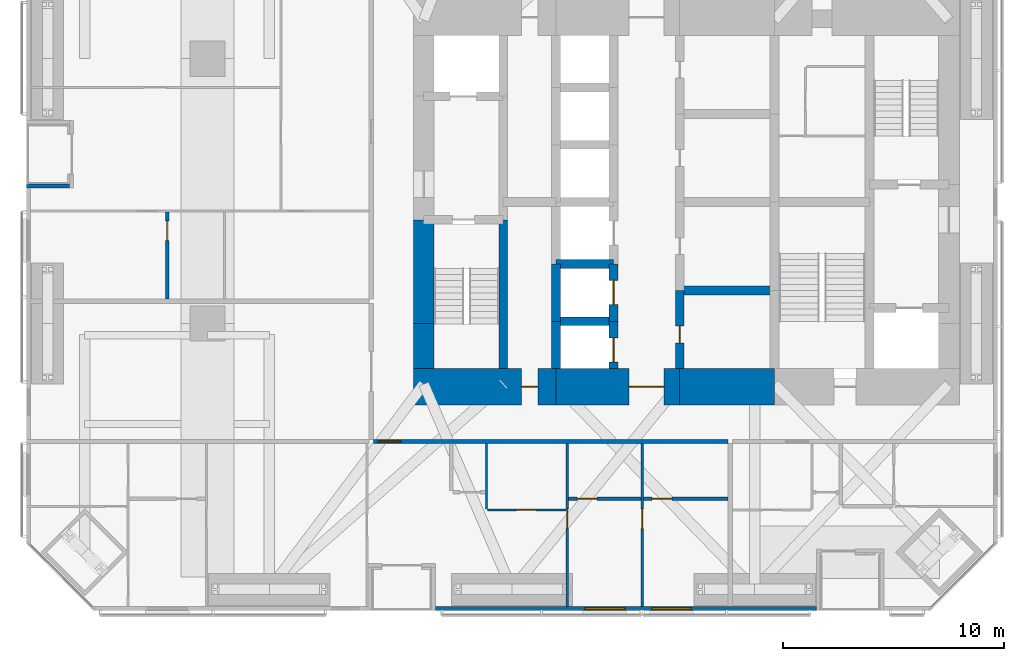
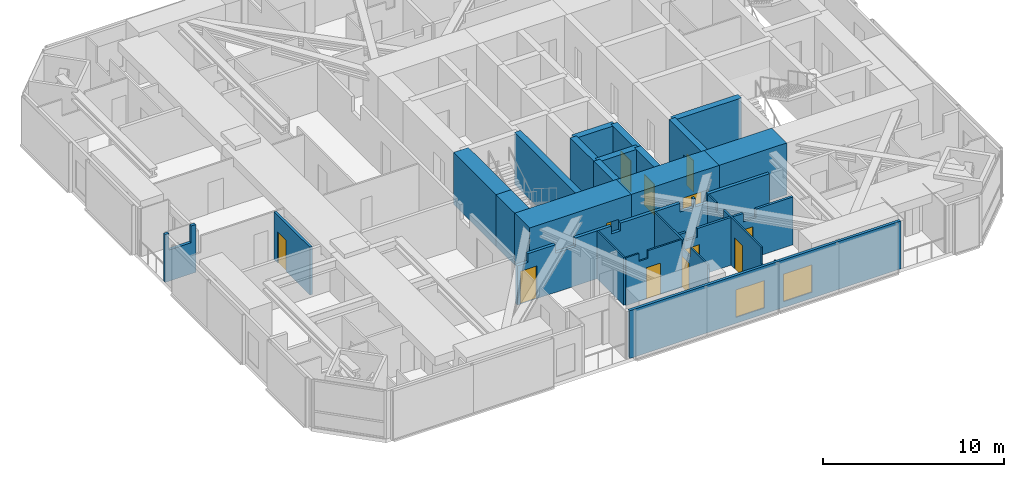
# One storey, part 16 of 22: 24 walls, 12 doors, 2 windows, 14 openings.
"""IFC4 building model written with IfcOpenShell, lengths in metres."""

import ifcopenshell
import ifcopenshell.guid

model = None  # the IFC model being written
_history = None  # IfcOwnerHistory: only IFC2X3 demands one
_inside = {}  # id of a spatial element -> (the spatial element, [elements in it])
_under = {}  # id of a project, library or spatial element -> (it, [spatial elements below it])
_declared = {}  # id of a project -> (the project, [libraries it declares])
_typed = {}  # id of a type object -> (the type object, [elements of that type])
_made_of = {}  # id of a material, layer set ... -> (it, [elements and type objects made of it])


def new_model(schema):
    """Start an empty IFC model of exactly this schema.

    Asked for "IFC4X3", IfcOpenShell would pick the latest addendum, in which some entities
    have other attributes; the version numbers below select the first issue.
    IFC2X3 requires an IfcOwnerHistory on every rooted entity: one is made here for all.
    """
    global model, _history
    if schema == "IFC4X3":
        model = ifcopenshell.file(schema_version=(4, 3, 0, 0))
    else:
        model = ifcopenshell.file(schema=schema)
    _inside.clear()
    _under.clear()
    _declared.clear()
    _typed.clear()
    _made_of.clear()
    _history = None
    if model.schema == "IFC2X3":
        org = make("IfcOrganization", Name="unknown")
        user = make(
            "IfcPersonAndOrganization",
            ThePerson=make("IfcPerson", FamilyName="unknown"),
            TheOrganization=org,
        )
        app = make(
            "IfcApplication",
            ApplicationDeveloper=org,
            Version="unknown",
            ApplicationFullName="unknown",
            ApplicationIdentifier="unknown",
        )
        _history = make(
            "IfcOwnerHistory",
            OwningUser=user,
            OwningApplication=app,
            ChangeAction="ADDED",
            CreationDate=0,
        )
    return model


def make(cls, **values):
    """One entity of the class cls with the attributes given. An attribute that is None is left unset."""
    return model.create_entity(
        cls, **{name: value for name, value in values.items() if value is not None}
    )


def rooted(cls, **values):
    """An entity with a GlobalId (a new one), such as an element, a storey or a relation."""
    return make(cls, GlobalId=ifcopenshell.guid.new(), OwnerHistory=_history, **values)


def si_unit(unit_type, name, prefix=None):
    """IfcSIUnit, for example si_unit("LENGTHUNIT", "METRE", prefix="MILLI")."""
    return make("IfcSIUnit", UnitType=unit_type, Prefix=prefix, Name=name)


def assignment(units):
    """IfcUnitAssignment: the units of a project."""
    return None if units is None else make("IfcUnitAssignment", Units=units)


def point(xyz):
    """IfcCartesianPoint."""
    return None if xyz is None else make("IfcCartesianPoint", Coordinates=xyz)


def direction(xyz):
    """IfcDirection."""
    return None if xyz is None else make("IfcDirection", DirectionRatios=xyz)


def frame(location, z_axis=None, x_axis=None):
    """IfcAxis2Placement3D, a coordinate frame: its origin and axes. An axis left out is left unset."""
    return make(
        "IfcAxis2Placement3D",
        Location=point(location),
        Axis=direction(z_axis),
        RefDirection=direction(x_axis),
    )


def frame_2d(location, x_axis=None):
    """IfcAxis2Placement2D, a coordinate frame in the plane: its origin and x axis."""
    return make(
        "IfcAxis2Placement2D", Location=point(location), RefDirection=direction(x_axis)
    )


def origin():
    """The frame at (0, 0, 0) with its axes left unset."""
    return frame((0.0, 0.0, 0.0))


def place(relative_to, where):
    """IfcLocalPlacement: puts the frame where relative to a parent placement (None: the world)."""
    return make(
        "IfcLocalPlacement", PlacementRelTo=relative_to, RelativePlacement=where
    )


def context(
    kind, dimensions, precision=None, world=None, true_north=None, identifier=None
):
    """IfcGeometricRepresentationContext, for example the 3D "Model" context."""
    return make(
        "IfcGeometricRepresentationContext",
        ContextIdentifier=identifier,
        ContextType=kind,
        CoordinateSpaceDimension=dimensions,
        Precision=precision,
        WorldCoordinateSystem=world,
        TrueNorth=true_north,
    )


def subcontext(parent, identifier, kind, view, scale=None):
    """IfcGeometricRepresentationSubContext, for example "Body" below "Model"."""
    return make(
        "IfcGeometricRepresentationSubContext",
        ContextIdentifier=identifier,
        ContextType=kind,
        ParentContext=parent,
        TargetScale=scale,
        TargetView=view,
    )


def project(units=None, contexts=None):
    """IfcProject with its units and contexts."""
    return rooted(
        "IfcProject",
        Name="project",
        RepresentationContexts=contexts,
        UnitsInContext=assignment(units),
    )


def spatial(cls, under=None, at=None, **own):
    """A site, building, storey or space (cls), placed at a placement, below another one or the project."""
    s = rooted(cls, ObjectPlacement=at, **own)
    if under is not None:
        _under.setdefault(under.id(), (under, []))[1].append(s)
    return s


def polyline(points):
    """IfcPolyline through the points."""
    return make("IfcPolyline", Points=[point(p) for p in points])


def profile(cls, at=None, kind="AREA", **sizes):
    """A parametric profile (cls). Its sizes go by their IFC names, for example OverallWidth=200.0."""
    return make(cls, ProfileType=kind, Position=at, **sizes)


def rectangle(**sizes):
    """IfcRectangleProfileDef."""
    return profile("IfcRectangleProfileDef", **sizes)


def outline(outer, holes=None, kind="AREA"):
    """IfcArbitraryClosedProfileDef: a profile drawn as a closed curve; with holes, ...WithVoids."""
    if holes is None:
        return make("IfcArbitraryClosedProfileDef", ProfileType=kind, OuterCurve=outer)
    return make(
        "IfcArbitraryProfileDefWithVoids",
        ProfileType=kind,
        OuterCurve=outer,
        InnerCurves=holes,
    )


def extrude(swept, where, along, depth):
    """IfcExtrudedAreaSolid: the profile swept, set in the frame where, extruded along a direction by depth."""
    return make(
        "IfcExtrudedAreaSolid",
        SweptArea=swept,
        Position=where,
        ExtrudedDirection=direction(along),
        Depth=depth,
    )


def shape(context_of_items, identifier, shape_type, items):
    """IfcShapeRepresentation: the items that make up one representation, for example the "Body"."""
    return make(
        "IfcShapeRepresentation",
        ContextOfItems=context_of_items,
        RepresentationIdentifier=identifier,
        RepresentationType=shape_type,
        Items=items,
    )


def material(Name=None, Category=None):
    """IfcMaterial."""
    return make("IfcMaterial", Name=Name, Category=Category)


def layer(
    of_material, thickness, ventilated=None, Name=None, Category=None, Priority=None
):
    """IfcMaterialLayer: one layer of a wall or slab, of a material (None: an air gap)."""
    return make(
        "IfcMaterialLayer",
        Material=of_material,
        LayerThickness=thickness,
        IsVentilated=ventilated,
        Name=Name,
        Category=Category,
        Priority=Priority,
    )


def layer_set(layers, Name=None):
    """IfcMaterialLayerSet."""
    return make("IfcMaterialLayerSet", MaterialLayers=layers, LayerSetName=Name)


def constituent(of_material, Name=None, Category=None, fraction=None):
    """IfcMaterialConstituent: one of the materials an element consists of."""
    return make(
        "IfcMaterialConstituent",
        Name=Name,
        Material=of_material,
        Fraction=fraction,
        Category=Category,
    )


def constituent_set(constituents=None, Name=None):
    """IfcMaterialConstituentSet."""
    return make(
        "IfcMaterialConstituentSet", Name=Name, MaterialConstituents=constituents
    )


def made_of(thing, what):
    """Note that an element or type object is made of a material, layer set ...; save() writes the relation."""
    if what is not None:
        _made_of.setdefault(what.id(), (what, []))[1].append(thing)
    return thing


def type_object(cls, material=None, **own):
    """A type object (cls), such as IfcWallType, which elements share."""
    return made_of(rooted(cls, **own), material)


def element(
    cls,
    number,
    at=None,
    inside=None,
    cuts=None,
    type_object=None,
    material=None,
    context=None,
    identifier="Body",
    shape_type=None,
    held_by="IfcProductDefinitionShape",
    body=None,
    shapes=None,
    **own,
):
    """One element of the class cls, such as IfcWall. Its Tag is "e" and its number.

    at: its placement. inside: the storey or other place that contains it. cuts: it is an
    opening in that element (IfcRelVoidsElement). A single representation is given by context,
    identifier, shape_type and body (its items); several are given by shapes. held_by: the class
    of the entity that holds the representations. save() writes the other relations.
    """
    e = rooted(cls, Tag="e%d" % number, ObjectPlacement=at, **own)
    if body is not None:
        shapes = [shape(context, identifier, shape_type, body)]
    if shapes is not None:
        e.Representation = make(held_by, Representations=shapes)
    if inside is not None:
        _inside.setdefault(inside.id(), (inside, []))[1].append(e)
    if cuts is not None:
        rooted(
            "IfcRelVoidsElement", RelatingBuildingElement=cuts, RelatedOpeningElement=e
        )
    if type_object is not None:
        _typed.setdefault(type_object.id(), (type_object, []))[1].append(e)
    return made_of(e, material)


def fill(opening, filler):
    """IfcRelFillsElement: the door or window that sits in an opening."""
    return rooted(
        "IfcRelFillsElement",
        RelatingOpeningElement=opening,
        RelatedBuildingElement=filler,
    )


def aggregate(whole, parts):
    """IfcRelAggregates: a whole, such as a stair, and the parts it consists of."""
    return rooted("IfcRelAggregates", RelatingObject=whole, RelatedObjects=parts)


def save(model, path):
    """Write the relations noted so far, then the file.

    IfcRelAggregates (storeys below a building ...), IfcRelContainedInSpatialStructure (elements
    in a storey), IfcRelDefinesByType, IfcRelAssociatesMaterial and IfcRelDeclares: one each for
    every whole, place, type object, material and project.
    """
    for whole, parts in _under.values():
        aggregate(whole, parts)
    for where, things in _inside.values():
        rooted(
            "IfcRelContainedInSpatialStructure",
            RelatedElements=things,
            RelatingStructure=where,
        )
    for kind, things in _typed.values():
        rooted("IfcRelDefinesByType", RelatedObjects=things, RelatingType=kind)
    for what, things in _made_of.values():
        rooted("IfcRelAssociatesMaterial", RelatedObjects=things, RelatingMaterial=what)
    for by, libraries in _declared.values():
        rooted("IfcRelDeclares", RelatingContext=by, RelatedDefinitions=libraries)
    model.write(path)


model = new_model("IFC4")

# Units and contexts
model_context = context("Model", 3, precision=1e-05, world=origin(), true_north=direction((0.0, 1.0)))
body_context = subcontext(model_context, "Body", "Model", "MODEL_VIEW")
ifc_project = project(units=[si_unit("LENGTHUNIT", "METRE"), si_unit("AREAUNIT", "SQUARE_METRE"), si_unit("VOLUMEUNIT", "CUBIC_METRE"), si_unit("PLANEANGLEUNIT", "RADIAN"), si_unit("MASSUNIT", "GRAM", prefix="KILO")], contexts=[model_context])

# Site, building, storey
site_placement = place(None, origin())
site = spatial("IfcSite", under=ifc_project, at=site_placement, CompositionType="ELEMENT")
building_placement = place(site_placement, origin())
building = spatial("IfcBuilding", under=site, at=building_placement, Name="Jalousie Tower", CompositionType="ELEMENT")
storey_placement = place(building_placement, frame((0.0, 0.0, 71.25)))
storey = spatial("IfcBuildingStorey", under=building, at=storey_placement, Name="L19", CompositionType="ELEMENT", Elevation=71.25)

# Wall, opening, door
ifc_material_1 = material(Name="Concrete block ASTM C90", Category="concrete")
ifc_constituent_1 = constituent(ifc_material_1, Name="Body")
ifc_material_2 = material(Name="Render")
ifc_constituent_2 = constituent(ifc_material_2, Name="Finish")
ifc_constituent_set_1 = constituent_set(constituents=[ifc_constituent_1, ifc_constituent_2])
wall_type_1 = type_object("IfcWallType", Name="BATHROOM WALL 150", PredefinedType="PLUMBINGWALL", material=ifc_constituent_set_1)
wall_1_placement = place(storey_placement, frame((26.550048828125, 5.050048828125, 0.0), z_axis=(0.0, 0.0, 1.0), x_axis=(1.0, 0.0, 0.0)))
wall_1 = element("IfcWall", 1, at=wall_1_placement, inside=storey, type_object=wall_type_1, Name="Bathroom Wall 150 L19", PredefinedType="PLUMBINGWALL", context=body_context, shape_type="SweptSolid", body=[
    extrude(outline(polyline([(0.0, 0.0), (3.300048828125, 0.0), (3.300048828125, 3.219970703125), (1.1669921875, 3.219970703125), (1.1669921875, 2.640869140625), (0.43408203125, 2.640869140625), (0.43408203125, 3.219970703125), (0.0, 3.219970703125), (0.0, 0.0)])), frame((0.0, 0.074951171875, 0.0), z_axis=(0.0, -1.0, 0.0), x_axis=(1.0, 0.0, 0.0)), (0.0, 0.0, 1.0), 0.14990234375),
])
opening_1_placement = place(wall_1_placement, frame((0.39990234375, 0.0, 0.0)))
opening_1 = element("IfcOpeningElement", 2, at=opening_1_placement, cuts=wall_1, Name="Opening D3", PredefinedType="OPENING", context=body_context, shape_type="SweptSolid", body=[
    extrude(rectangle(XDim=0.89990234375, YDim=2.10009765625, at=frame_2d((0.449951171875, 1.050048828125))), frame((0.0, 0.0849609375, 0.0), z_axis=(0.0, -1.0, 0.0), x_axis=(1.0, 0.0, 0.0)), (0.0, 0.0, 1.0), 0.169921875),
])
ifc_material_3 = material(Name="Timber door", Category="wood")
door_type_1 = type_object("IfcDoorType", Name="BATHROOM DOOR 900", OperationType="SINGLE_SWING_LEFT", PredefinedType="DOOR", material=ifc_material_3)
door_1_placement = place(opening_1_placement, origin())
door_1 = element("IfcDoor", 3, at=door_1_placement, inside=storey, type_object=door_type_1, Name="Apartment 1901 bedroom 3 bathroom door", OperationType="SINGLE_SWING_LEFT", OverallHeight=2.10009765625, OverallWidth=0.89990234375, PredefinedType="DOOR", context=body_context, shape_type="SweptSolid", body=[
    extrude(rectangle(XDim=0.89990234375, YDim=2.10009765625, at=frame_2d((0.449951171875, 1.050048828125))), frame((0.0, 0.02490234375, 0.0), z_axis=(0.0, -1.0, 0.0), x_axis=(1.0, 0.0, 0.0)), (0.0, 0.0, 1.0), 0.050048828125),
])
fill(opening_1, door_1)

wall_2_placement = place(storey_placement, frame((29.949951171875, 5.050048828125, 0.0), z_axis=(0.0, 0.0, 1.0), x_axis=(1.0, 0.0, 0.0)))
wall_2 = element("IfcWall", 4, at=wall_2_placement, inside=storey, type_object=wall_type_1, Name="Bathroom Wall 150 L19", PredefinedType="PLUMBINGWALL", context=body_context, shape_type="SweptSolid", body=[
    extrude(outline(polyline([(0.0, 0.0), (3.85009765625, 0.0), (3.85009765625, 3.219970703125), (1.4833984375, 3.219970703125), (1.4833984375, 2.640869140625), (0.680908203125, 2.640869140625), (0.680908203125, 3.219970703125), (0.0, 3.219970703125), (0.0, 0.0)])), frame((0.0, 0.074951171875, 0.0), z_axis=(0.0, -1.0, 0.0), x_axis=(1.0, 0.0, 0.0)), (0.0, 0.0, 1.0), 0.14990234375),
])
opening_2_placement = place(wall_2_placement, frame((0.39990234375, 0.0, 0.0)))
opening_2 = element("IfcOpeningElement", 5, at=opening_2_placement, cuts=wall_2, Name="Opening D3", PredefinedType="OPENING", context=body_context, shape_type="SweptSolid", body=[
    extrude(rectangle(XDim=0.89990234375, YDim=2.10009765625, at=frame_2d((0.449951171875, 1.050048828125))), frame((0.0, 0.0849609375, 0.0), z_axis=(0.0, -1.0, 0.0), x_axis=(1.0, 0.0, 0.0)), (0.0, 0.0, 1.0), 0.169921875),
])
door_2_placement = place(opening_2_placement, origin())
door_2 = element("IfcDoor", 6, at=door_2_placement, inside=storey, type_object=door_type_1, Name="Apartment 1901 bedroom 4 bathroom door", OperationType="SINGLE_SWING_LEFT", OverallHeight=2.10009765625, OverallWidth=0.89990234375, PredefinedType="DOOR", context=body_context, shape_type="SweptSolid", body=[
    extrude(rectangle(XDim=0.89990234375, YDim=2.10009765625, at=frame_2d((0.449951171875, 1.050048828125))), frame((0.0, 0.02490234375, 0.0), z_axis=(0.0, -1.0, 0.0), x_axis=(1.0, 0.0, 0.0)), (0.0, 0.0, 1.0), 0.050048828125),
])
fill(opening_2, door_2)

wall_3_placement = place(storey_placement, frame((8.375, 14.10009765625, 0.0), z_axis=(0.0, 0.0, 1.0), x_axis=(0.0, 1.0, 0.0)))
wall_3 = element("IfcWall", 7, at=wall_3_placement, inside=storey, type_object=wall_type_1, Name="Bathroom Wall 150 L19", PredefinedType="PLUMBINGWALL", context=body_context, shape_type="SweptSolid", body=[
    extrude(rectangle(XDim=3.949951171875, YDim=0.14990234375, at=frame_2d((1.97509765625, 0.0))), origin(), (0.0, 0.0, 1.0), 3.219970703125),
])
opening_3_placement = place(wall_3_placement, frame((2.64990234375, 0.0, 0.0)))
opening_3 = element("IfcOpeningElement", 8, at=opening_3_placement, cuts=wall_3, Name="Opening D3", PredefinedType="OPENING", context=body_context, shape_type="SweptSolid", body=[
    extrude(rectangle(XDim=0.89990234375, YDim=2.10009765625, at=frame_2d((0.449951171875, 1.050048828125))), frame((0.0, 0.0849609375, 0.0), z_axis=(0.0, -1.0, 0.0), x_axis=(1.0, 0.0, 0.0)), (0.0, 0.0, 1.0), 0.169921875),
])
door_3_placement = place(opening_3_placement, frame((0.89990234375, 0.0, 0.0), z_axis=(0.0, 0.0, 1.0), x_axis=(-1.0, 0.0, 0.0)))
door_3 = element("IfcDoor", 9, at=door_3_placement, inside=storey, type_object=door_type_1, Name="Apartment 1905 bedroom 1 bathroom door", OperationType="SINGLE_SWING_LEFT", OverallHeight=2.10009765625, OverallWidth=0.89990234375, PredefinedType="DOOR", context=body_context, shape_type="SweptSolid", body=[
    extrude(rectangle(XDim=0.89990234375, YDim=2.10009765625, at=frame_2d((0.449951171875, 1.050048828125))), frame((0.0, 0.02490234375, 0.0), z_axis=(0.0, -1.0, 0.0), x_axis=(1.0, 0.0, 0.0)), (0.0, 0.0, 1.0), 0.050048828125),
])
fill(opening_3, door_3)

ifc_material_4 = material(Name="Concrete f'c 120 MPa", Category="concrete")
ifc_layer_1 = layer(ifc_material_4, 1.64990234375)
ifc_layer_set_1 = layer_set([ifc_layer_1], Name="Concrete f'c 120 MPa")
wall_type_2 = type_object("IfcWallType", Name="CORE WALL 1650", PredefinedType="SHEAR", material=ifc_layer_set_1)
wall_4_placement = place(storey_placement, frame((19.52490234375, 10.125, 0.0), z_axis=(0.0, 0.0, 1.0), x_axis=(1.0, 0.0, 0.0)))
wall_4 = element("IfcWall", 10, at=wall_4_placement, inside=storey, type_object=wall_type_2, Name="Core wall SA L19", PredefinedType="SHEAR", context=body_context, shape_type="SweptSolid", body=[
    extrude(rectangle(XDim=6.47509765625, YDim=1.64990234375, at=frame_2d((3.237548828125, 0.0))), origin(), (0.0, 0.0, 1.0), 3.5),
])
opening_4_placement = place(wall_4_placement, frame((4.89990234375, 0.0, 0.0)))
opening_4 = element("IfcOpeningElement", 11, at=opening_4_placement, cuts=wall_4, Name="Opening D16", PredefinedType="OPENING", context=body_context, shape_type="SweptSolid", body=[
    extrude(rectangle(XDim=0.75, YDim=2.10009765625, at=frame_2d((0.375, 1.050048828125))), frame((0.0, 0.8349609375, 0.0), z_axis=(0.0, -1.0, 0.0), x_axis=(1.0, 0.0, 0.0)), (0.0, 0.0, 1.0), 1.669921875),
])
ifc_material_5 = material(Name="Steel fire door", Category="steel")
door_type_2 = type_object("IfcDoorType", Name="RISER DOOR 750", OperationType="SINGLE_SWING_LEFT", PredefinedType="DOOR", material=ifc_material_5)
door_4_placement = place(opening_4_placement, origin())
door_4 = element("IfcDoor", 12, at=door_4_placement, inside=storey, type_object=door_type_2, Name="South riser door", OperationType="SINGLE_SWING_LEFT", OverallHeight=2.10009765625, OverallWidth=0.75, PredefinedType="DOOR", context=body_context, shape_type="SweptSolid", body=[
    extrude(rectangle(XDim=0.75, YDim=2.10009765625, at=frame_2d((0.375, 1.050048828125))), frame((0.0, 0.02490234375, 0.0), z_axis=(0.0, -1.0, 0.0), x_axis=(1.0, 0.0, 0.0)), (0.0, 0.0, 1.0), 0.050048828125),
])
fill(opening_4, door_4)

wall_5_placement = place(storey_placement, frame((26.0, 10.125, 0.0), z_axis=(0.0, 0.0, 1.0), x_axis=(1.0, 0.0, 0.0)))
wall_5 = element("IfcWall", 13, at=wall_5_placement, inside=storey, type_object=wall_type_2, Name="Core wall SB L19", PredefinedType="SHEAR", context=body_context, shape_type="SweptSolid", body=[
    extrude(rectangle(XDim=5.60009765625, YDim=1.64990234375, at=frame_2d((2.800048828125, 0.0))), origin(), (0.0, 0.0, 1.0), 3.5),
])
opening_5_placement = place(wall_5_placement, frame((3.300048828125, 0.0, 0.0)))
opening_5 = element("IfcOpeningElement", 14, at=opening_5_placement, cuts=wall_5, Name="Opening D15", PredefinedType="OPENING", context=body_context, shape_type="SweptSolid", body=[
    extrude(rectangle(XDim=1.60009765625, YDim=2.10009765625, at=frame_2d((0.800048828125, 1.050048828125))), frame((0.0, 0.8349609375, 0.0), z_axis=(0.0, -1.0, 0.0), x_axis=(1.0, 0.0, 0.0)), (0.0, 0.0, 1.0), 1.669921875),
])
ifc_material_6 = material(Name="Steel fire door", Category="steel")
door_type_3 = type_object("IfcDoorType", Name="LIFT LOBBY DOOR 1600", OperationType="DOUBLE_DOOR_SINGLE_SWING", PredefinedType="DOOR", material=ifc_material_6)
door_5_placement = place(opening_5_placement, origin())
door_5 = element("IfcDoor", 15, at=door_5_placement, inside=storey, type_object=door_type_3, Name="Lift lobby south door", OperationType="DOUBLE_DOOR_SINGLE_SWING", OverallHeight=2.10009765625, OverallWidth=1.60009765625, PredefinedType="DOOR", context=body_context, shape_type="SweptSolid", body=[
    extrude(rectangle(XDim=1.60009765625, YDim=2.10009765625, at=frame_2d((0.800048828125, 1.050048828125))), frame((0.0, 0.02490234375, 0.0), z_axis=(0.0, -1.0, 0.0), x_axis=(1.0, 0.0, 0.0)), (0.0, 0.0, 1.0), 0.050048828125),
])
fill(opening_5, door_5)

# Walls
wall_6_placement = place(storey_placement, frame((31.60009765625, 10.125, 0.0), z_axis=(0.0, 0.0, 1.0), x_axis=(1.0, 0.0, 0.0)))
element("IfcWall", 16, at=wall_6_placement, inside=storey, type_object=wall_type_2, Name="Core wall SC L19", PredefinedType="SHEAR", context=body_context, shape_type="SweptSolid", body=[
    extrude(rectangle(XDim=4.2998046875, YDim=1.64990234375, at=frame_2d((2.14990234375, 0.0))), origin(), (0.0, 0.0, 1.0), 3.5),
])
ifc_material_7 = material(Name="Concrete f'c 120 MPa", Category="concrete")
ifc_layer_2 = layer(ifc_material_7, 0.39990234375)
ifc_layer_set_2 = layer_set([ifc_layer_2], Name="Concrete f'c 120 MPa")
wall_type_3 = type_object("IfcWallType", Name="CORE WALL 400", PredefinedType="SHEAR", material=ifc_layer_set_2)
wall_7_placement = place(storey_placement, frame((23.60009765625, 10.949951171875, 0.0), z_axis=(0.0, 0.0, 1.0), x_axis=(0.0, 1.0, 0.0)))
element("IfcWall", 17, at=wall_7_placement, inside=storey, type_object=wall_type_3, Name="Core wall X23.6A L19", PredefinedType="SHEAR", context=body_context, shape_type="SweptSolid", body=[
    extrude(rectangle(XDim=6.75, YDim=0.39990234375, at=frame_2d((3.375, 0.0))), origin(), (0.0, 0.0, 1.0), 3.5),
])
wall_8_placement = place(storey_placement, frame((26.0, 10.949951171875, 0.0), z_axis=(0.0, 0.0, 1.0), x_axis=(0.0, 1.0, 0.0)))
element("IfcWall", 18, at=wall_8_placement, inside=storey, type_object=wall_type_3, Name="Core wall X26A L19", PredefinedType="SHEAR", context=body_context, shape_type="SweptSolid", body=[
    extrude(rectangle(XDim=2.150146484375, YDim=0.39990234375, at=frame_2d((1.0751953125, 0.0))), origin(), (0.0, 0.0, 1.0), 3.5),
])
wall_9_placement = place(storey_placement, frame((26.0, 13.10009765625, 0.0), z_axis=(0.0, 0.0, 1.0), x_axis=(0.0, 1.0, 0.0)))
element("IfcWall", 19, at=wall_9_placement, inside=storey, type_object=wall_type_3, Name="Core wall X26B L19", PredefinedType="SHEAR", context=body_context, shape_type="SweptSolid", body=[
    extrude(rectangle(XDim=2.599853515625, YDim=0.39990234375, at=frame_2d((1.2998046875, 0.0))), origin(), (0.0, 0.0, 1.0), 3.5),
])

# Wall, opening, door
wall_10_placement = place(storey_placement, frame((28.60009765625, 10.949951171875, 0.0), z_axis=(0.0, 0.0, 1.0), x_axis=(0.0, 1.0, 0.0)))
wall_10 = element("IfcWall", 20, at=wall_10_placement, inside=storey, type_object=wall_type_3, Name="Core wall X28.6A L19", PredefinedType="SHEAR", context=body_context, shape_type="SweptSolid", body=[
    extrude(rectangle(XDim=2.150146484375, YDim=0.39990234375, at=frame_2d((1.0751953125, 0.0))), origin(), (0.0, 0.0, 1.0), 3.5),
])
opening_6_placement = place(wall_10_placement, frame((0.300048828125, 0.0, 0.0)))
opening_6 = element("IfcOpeningElement", 21, at=opening_6_placement, cuts=wall_10, Name="Opening LD1", PredefinedType="OPENING", context=body_context, shape_type="SweptSolid", body=[
    extrude(rectangle(XDim=1.10009765625, YDim=2.10009765625, at=frame_2d((0.550048828125, 1.050048828125))), frame((0.0, 0.2099609375, 0.0), z_axis=(0.0, -1.0, 0.0), x_axis=(1.0, 0.0, 0.0)), (0.0, 0.0, 1.0), 0.419921875),
])
ifc_material_8 = material(Name="Steel lift landing door", Category="steel")
door_type_4 = type_object("IfcDoorType", Name="LIFT LANDING DOOR 1100", OperationType="SLIDING_TO_LEFT", PredefinedType="DOOR", material=ifc_material_8)
door_6_placement = place(opening_6_placement, origin())
door_6 = element("IfcDoor", 22, at=door_6_placement, inside=storey, type_object=door_type_4, Name="Lift P1 landing door", OperationType="SLIDING_TO_LEFT", OverallHeight=2.10009765625, OverallWidth=1.10009765625, PredefinedType="DOOR", context=body_context, shape_type="SweptSolid", body=[
    extrude(rectangle(XDim=1.10009765625, YDim=2.10009765625, at=frame_2d((0.550048828125, 1.050048828125))), frame((0.0, 0.02490234375, 0.0), z_axis=(0.0, -1.0, 0.0), x_axis=(1.0, 0.0, 0.0)), (0.0, 0.0, 1.0), 0.050048828125),
])
fill(opening_6, door_6)

wall_11_placement = place(storey_placement, frame((28.60009765625, 13.10009765625, 0.0), z_axis=(0.0, 0.0, 1.0), x_axis=(0.0, 1.0, 0.0)))
wall_11 = element("IfcWall", 23, at=wall_11_placement, inside=storey, type_object=wall_type_3, Name="Core wall X28.6B L19", PredefinedType="SHEAR", context=body_context, shape_type="SweptSolid", body=[
    extrude(rectangle(XDim=2.599853515625, YDim=0.39990234375, at=frame_2d((1.2998046875, 0.0))), origin(), (0.0, 0.0, 1.0), 3.5),
])
opening_7_placement = place(wall_11_placement, frame((0.75, 0.0, 0.0)))
opening_7 = element("IfcOpeningElement", 24, at=opening_7_placement, cuts=wall_11, Name="Opening LD1", PredefinedType="OPENING", context=body_context, shape_type="SweptSolid", body=[
    extrude(rectangle(XDim=1.10009765625, YDim=2.10009765625, at=frame_2d((0.550048828125, 1.050048828125))), frame((0.0, 0.2099609375, 0.0), z_axis=(0.0, -1.0, 0.0), x_axis=(1.0, 0.0, 0.0)), (0.0, 0.0, 1.0), 0.419921875),
])
door_7_placement = place(opening_7_placement, origin())
door_7 = element("IfcDoor", 25, at=door_7_placement, inside=storey, type_object=door_type_4, Name="Lift P2 landing door", OperationType="SLIDING_TO_LEFT", OverallHeight=2.10009765625, OverallWidth=1.10009765625, PredefinedType="DOOR", context=body_context, shape_type="SweptSolid", body=[
    extrude(rectangle(XDim=1.10009765625, YDim=2.10009765625, at=frame_2d((0.550048828125, 1.050048828125))), frame((0.0, 0.02490234375, 0.0), z_axis=(0.0, -1.0, 0.0), x_axis=(1.0, 0.0, 0.0)), (0.0, 0.0, 1.0), 0.050048828125),
])
fill(opening_7, door_7)

wall_12_placement = place(storey_placement, frame((31.60009765625, 10.949951171875, 0.0), z_axis=(0.0, 0.0, 1.0), x_axis=(0.0, 1.0, 0.0)))
wall_12 = element("IfcWall", 26, at=wall_12_placement, inside=storey, type_object=wall_type_3, Name="Core wall X31.6A L19", PredefinedType="SHEAR", context=body_context, shape_type="SweptSolid", body=[
    extrude(rectangle(XDim=3.550048828125, YDim=0.39990234375, at=frame_2d((1.77490234375, 0.0))), origin(), (0.0, 0.0, 1.0), 3.5),
])
opening_8_placement = place(wall_12_placement, frame((1.175048828125, 0.0, 0.0)))
opening_8 = element("IfcOpeningElement", 27, at=opening_8_placement, cuts=wall_12, Name="Opening D16", PredefinedType="OPENING", context=body_context, shape_type="SweptSolid", body=[
    extrude(rectangle(XDim=0.75, YDim=2.10009765625, at=frame_2d((0.375, 1.050048828125))), frame((0.0, 0.2099609375, 0.0), z_axis=(0.0, -1.0, 0.0), x_axis=(1.0, 0.0, 0.0)), (0.0, 0.0, 1.0), 0.419921875),
])
door_8_placement = place(opening_8_placement, frame((0.75, 0.0, 0.0), z_axis=(0.0, 0.0, 1.0), x_axis=(-1.0, 0.0, 0.0)))
door_8 = element("IfcDoor", 28, at=door_8_placement, inside=storey, type_object=door_type_2, Name="Refuse Room door", OperationType="SINGLE_SWING_RIGHT", OverallHeight=2.10009765625, OverallWidth=0.75, PredefinedType="DOOR", context=body_context, shape_type="SweptSolid", body=[
    extrude(rectangle(XDim=0.75, YDim=2.10009765625, at=frame_2d((0.375, 1.050048828125))), frame((0.0, 0.02490234375, 0.0), z_axis=(0.0, -1.0, 0.0), x_axis=(1.0, 0.0, 0.0)), (0.0, 0.0, 1.0), 0.050048828125),
])
fill(opening_8, door_8)

# Walls
for number, where, z_axis, x_axis, name in (
    (29, (26.0, 13.10009765625, 0.0), (0.0, 0.0, 1.0), (1.0, 0.0, 0.0), "Core wall Y26-13.1 L19"),
    (30, (26.0, 15.699951171875, 0.0), (0.0, 0.0, 1.0), (1.0, 0.0, 0.0), "Core wall Y26-15.7 L19"),
):
    element("IfcWall", number, at=place(storey_placement, frame(where, z_axis=z_axis, x_axis=x_axis)), inside=storey, type_object=wall_type_3, Name=name, PredefinedType="SHEAR", context=body_context, shape_type="SweptSolid", body=[
        extrude(rectangle(XDim=2.60009765625, YDim=0.39990234375, at=frame_2d((1.300048828125, 0.0))), origin(), (0.0, 0.0, 1.0), 3.5),
    ])
wall_13_placement = place(storey_placement, frame((31.60009765625, 14.5, 0.0), z_axis=(0.0, 0.0, 1.0), x_axis=(1.0, 0.0, 0.0)))
element("IfcWall", 31, at=wall_13_placement, inside=storey, type_object=wall_type_3, Name="Core wall Y31.6-14.5 L19", PredefinedType="SHEAR", context=body_context, shape_type="SweptSolid", body=[
    extrude(rectangle(XDim=4.2998046875, YDim=0.39990234375, at=frame_2d((2.14990234375, 0.0))), origin(), (0.0, 0.0, 1.0), 3.5),
])
ifc_material_9 = material(Name="Concrete f'c 120 MPa", Category="concrete")
ifc_layer_3 = layer(ifc_material_9, 0.949951171875)
ifc_layer_set_3 = layer_set([ifc_layer_3], Name="Concrete f'c 120 MPa")
wall_type_4 = type_object("IfcWallType", Name="CORE WALL 950", PredefinedType="SHEAR", material=ifc_layer_set_3)
wall_14_placement = place(storey_placement, frame((20.0, 17.699951171875, 0.0), z_axis=(0.0, 0.0, 1.0), x_axis=(0.0, -1.0, 0.0)))
element("IfcWall", 32, at=wall_14_placement, inside=storey, type_object=wall_type_4, Name="Core wall WC L19", PredefinedType="SHEAR", context=body_context, shape_type="SweptSolid", body=[
    extrude(rectangle(XDim=4.699951171875, YDim=0.949951171875, at=frame_2d((2.35009765625, 0.0))), origin(), (0.0, 0.0, 1.0), 3.5),
])
wall_15_placement = place(storey_placement, frame((20.0, 13.0, 0.0), z_axis=(0.0, 0.0, 1.0), x_axis=(0.0, -1.0, 0.0)))
element("IfcWall", 33, at=wall_15_placement, inside=storey, type_object=wall_type_4, Name="Core wall WD L19", PredefinedType="SHEAR", context=body_context, shape_type="SweptSolid", body=[
    extrude(rectangle(XDim=2.050048828125, YDim=0.949951171875, at=frame_2d((1.02490234375, 0.0))), origin(), (0.0, 0.0, 1.0), 3.5),
])

# Wall, opening, door
ifc_material_10 = material(Name="Concrete block ASTM C90", Category="concrete")
ifc_constituent_3 = constituent(ifc_material_10, Name="Body")
ifc_material_11 = material(Name="Render")
ifc_constituent_4 = constituent(ifc_material_11, Name="Finish")
ifc_constituent_set_2 = constituent_set(constituents=[ifc_constituent_3, ifc_constituent_4])
wall_type_5 = type_object("IfcWallType", Name="CORRIDOR WALL 200", PredefinedType="PARTITIONING", material=ifc_constituent_set_2)
wall_16_placement = place(storey_placement, frame((17.72509765625, 7.64990234375, 0.0), z_axis=(0.0, 0.0, 1.0), x_axis=(1.0, 0.0, 0.0)))
wall_16 = element("IfcWall", 34, at=wall_16_placement, inside=storey, type_object=wall_type_5, Name="Corridor Wall 200 L19", PredefinedType="PARTITIONING", context=body_context, shape_type="SweptSolid", body=[
    extrude(outline(polyline([(0.0, 0.0), (16.074951171875, 0.0), (16.074951171875, 3.219970703125), (12.136962890625, 3.219970703125), (12.136962890625, 2.640869140625), (11.363525390625, 2.640869140625), (11.363525390625, 3.219970703125), (11.216552734375, 3.219970703125), (11.216552734375, 2.640869140625), (10.36572265625, 2.640869140625), (10.36572265625, 3.219970703125), (6.564453125, 3.219970703125), (6.564453125, 2.694091796875), (5.985595703125, 2.694091796875), (5.985595703125, 3.219970703125), (3.693359375, 3.219970703125), (3.693359375, 2.640869140625), (2.439453125, 2.640869140625), (2.439453125, 3.219970703125), (0.68896484375, 3.219970703125), (0.68896484375, 2.640869140625), (0.0, 2.640869140625), (0.0, 0.0)])), frame((0.0, 0.10009765625, 0.0), z_axis=(0.0, -1.0, 0.0), x_axis=(1.0, 0.0, 0.0)), (0.0, 0.0, 1.0), 0.199951171875),
])
opening_9_placement = place(wall_16_placement, frame((0.199951171875, 0.0, 0.0)))
opening_9 = element("IfcOpeningElement", 35, at=opening_9_placement, cuts=wall_16, Name="Opening D1", PredefinedType="OPENING", context=body_context, shape_type="SweptSolid", body=[
    extrude(rectangle(XDim=1.050048828125, YDim=2.199951171875, at=frame_2d((0.52490234375, 1.10009765625))), frame((0.0, 0.10986328125, 0.0), z_axis=(0.0, -1.0, 0.0), x_axis=(1.0, 0.0, 0.0)), (0.0, 0.0, 1.0), 0.219970703125),
])
ifc_material_12 = material(Name="Timber fire door", Category="wood")
door_type_5 = type_object("IfcDoorType", Name="APARTMENT ENTRANCE DOOR 1050", OperationType="SINGLE_SWING_LEFT", PredefinedType="DOOR", material=ifc_material_12)
door_9_placement = place(opening_9_placement, frame((1.050048828125, 0.0, 0.0), z_axis=(0.0, 0.0, 1.0), x_axis=(-1.0, 0.0, 0.0)))
door_9 = element("IfcDoor", 36, at=door_9_placement, inside=storey, type_object=door_type_5, Name="Apartment 1901 entrance", OperationType="SINGLE_SWING_RIGHT", OverallHeight=2.199951171875, OverallWidth=1.050048828125, PredefinedType="DOOR", context=body_context, shape_type="SweptSolid", body=[
    extrude(rectangle(XDim=1.050048828125, YDim=2.199951171875, at=frame_2d((0.52490234375, 1.10009765625))), frame((0.0, 0.02490234375, 0.0), z_axis=(0.0, -1.0, 0.0), x_axis=(1.0, 0.0, 0.0)), (0.0, 0.0, 1.0), 0.050048828125),
])
fill(opening_9, door_9)

# Wall, openings, windows
ifc_material_13 = material(Name="Concrete f'c 40 MPa", Category="concrete")
ifc_constituent_5 = constituent(ifc_material_13, Name="Body")
ifc_material_14 = material(Name="Render, pastel coral")
ifc_constituent_6 = constituent(ifc_material_14, Name="Finish")
ifc_constituent_set_3 = constituent_set(constituents=[ifc_constituent_5, ifc_constituent_6])
wall_type_6 = type_object("IfcWallType", Name="EXTERNAL WALL 175 CORAL RENDER", PredefinedType="SOLIDWALL", material=ifc_constituent_set_3)
wall_17_placement = place(storey_placement, frame((20.52490234375, 0.08740234375, 0.0), z_axis=(0.0, 0.0, 1.0), x_axis=(1.0, 0.0, 0.0)))
wall_17 = element("IfcWall", 37, at=wall_17_placement, inside=storey, type_object=wall_type_6, Name="External Wall 175 Coral Render L19", PredefinedType="SOLIDWALL", context=body_context, shape_type="SweptSolid", body=[
    extrude(rectangle(XDim=17.275146484375, YDim=0.175048828125, at=frame_2d((8.6376953125, 0.0))), origin(), (0.0, 0.0, 1.0), 3.219970703125),
])
opening_10_placement = place(wall_17_placement, frame((6.77490234375, 0.0, 0.39990234375)))
opening_10 = element("IfcOpeningElement", 38, at=opening_10_placement, cuts=wall_17, Name="Opening W-BED185", PredefinedType="OPENING", context=body_context, shape_type="SweptSolid", body=[
    extrude(rectangle(XDim=1.800048828125, YDim=1.85009765625, at=frame_2d((0.89990234375, 0.925048828125))), frame((0.0, 0.097412109375, 0.0), z_axis=(0.0, -1.0, 0.0), x_axis=(1.0, 0.0, 0.0)), (0.0, 0.0, 1.0), 0.195068359375),
])
opening_11_placement = place(wall_17_placement, frame((9.81005859375, 0.0, 0.39990234375)))
opening_11 = element("IfcOpeningElement", 39, at=opening_11_placement, cuts=wall_17, Name="Opening W-BED185", PredefinedType="OPENING", context=body_context, shape_type="SweptSolid", body=[
    extrude(rectangle(XDim=1.800048828125, YDim=1.85009765625, at=frame_2d((0.89990234375, 0.925048828125))), frame((0.0, 0.097412109375, 0.0), z_axis=(0.0, -1.0, 0.0), x_axis=(1.0, 0.0, 0.0)), (0.0, 0.0, 1.0), 0.195068359375),
])
ifc_material_15 = material(Name="Aluminium frame, impact-rated glazing", Category="aluminium")
window_type = type_object("IfcWindowType", Name="WINDOW BED 1800x1850", PartitioningType="SINGLE_PANEL", PredefinedType="WINDOW", material=ifc_material_15)
window_1_placement = place(opening_10_placement, origin())
window_1 = element("IfcWindow", 40, at=window_1_placement, inside=storey, type_object=window_type, Name="Apartment 1901 bedroom 3 window", OverallHeight=1.85009765625, OverallWidth=1.800048828125, PartitioningType="SINGLE_PANEL", PredefinedType="WINDOW", context=body_context, shape_type="SweptSolid", body=[
    extrude(rectangle(XDim=1.800048828125, YDim=1.85009765625, at=frame_2d((0.89990234375, 0.925048828125))), frame((0.0, 0.030029296875, 0.0), z_axis=(0.0, -1.0, 0.0), x_axis=(1.0, 0.0, 0.0)), (0.0, 0.0, 1.0), 0.06005859375),
])
fill(opening_10, window_1)
window_2_placement = place(opening_11_placement, origin())
window_2 = element("IfcWindow", 41, at=window_2_placement, inside=storey, type_object=window_type, Name="Apartment 1901 bedroom 4 window", OverallHeight=1.85009765625, OverallWidth=1.800048828125, PartitioningType="SINGLE_PANEL", PredefinedType="WINDOW", context=body_context, shape_type="SweptSolid", body=[
    extrude(rectangle(XDim=1.800048828125, YDim=1.85009765625, at=frame_2d((0.89990234375, 0.925048828125))), frame((0.0, 0.030029296875, 0.0), z_axis=(0.0, -1.0, 0.0), x_axis=(1.0, 0.0, 0.0)), (0.0, 0.0, 1.0), 0.06005859375),
])
fill(opening_11, window_2)

# Wall
wall_18_placement = place(storey_placement, frame((2.0, 19.237548828125, 0.0), z_axis=(0.0, 0.0, 1.0), x_axis=(1.0, 0.0, 0.0)))
element("IfcWall", 42, at=wall_18_placement, inside=storey, type_object=wall_type_6, Name="External Wall 175 Coral Render L19", PredefinedType="SOLIDWALL", context=body_context, shape_type="SweptSolid", body=[
    extrude(outline(polyline([(0.0, 0.0), (1.949951171875, 0.0), (1.949951171875, 3.219970703125), (1.64990234375, 3.219970703125), (1.64990234375, 2.10009765625), (0.25, 2.10009765625), (0.25, 3.219970703125), (0.0, 3.219970703125), (0.0, 0.0)])), frame((0.0, 0.08740234375, 0.0), z_axis=(0.0, -1.0, 0.0), x_axis=(1.0, 0.0, 0.0)), (0.0, 0.0, 1.0), 0.175048828125),
])

# Wall, opening, door
ifc_material_16 = material(Name="Gypsum board", Category="gypsum")
ifc_constituent_7 = constituent(ifc_material_16, Name="Body")
ifc_material_17 = material(Name="Light-gauge steel studs ASTM A653 SS Grade 33", Category="steel")
ifc_constituent_8 = constituent(ifc_material_17, Name="Framing")
ifc_constituent_set_4 = constituent_set(constituents=[ifc_constituent_7, ifc_constituent_8])
wall_type_7 = type_object("IfcWallType", Name="PARTITION 100", PredefinedType="PARTITIONING", material=ifc_constituent_set_4)
wall_19_placement = place(storey_placement, frame((26.5, 0.175048828125, 0.0), z_axis=(0.0, 0.0, 1.0), x_axis=(0.0, 1.0, 0.0)))
wall_19 = element("IfcWall", 43, at=wall_19_placement, inside=storey, type_object=wall_type_7, Name="Partition 100 L19", PredefinedType="PARTITIONING", context=body_context, shape_type="SweptSolid", body=[
    extrude(outline(polyline([(0.0, 0.0), (7.375, 0.0), (7.375, 3.219970703125), (4.268798828125, 3.219970703125), (4.268798828125, 2.640869140625), (3.39990234375, 2.640869140625), (3.39990234375, 3.219970703125), (1.485107421875, 3.219970703125), (1.485107421875, 2.946533203125), (1.47509765625, 2.946533203125), (1.47509765625, 2.10009765625), (0.074951171875, 2.10009765625), (0.074951171875, 2.946533203125), (0.0, 2.946533203125), (0.0, 0.0)])), frame((0.0, 0.050048828125, 0.0), z_axis=(0.0, -1.0, 0.0), x_axis=(1.0, 0.0, 0.0)), (0.0, 0.0, 1.0), 0.10009765625),
])
opening_12_placement = place(wall_19_placement, frame((3.52490234375, 0.0, 0.0)))
opening_12 = element("IfcOpeningElement", 44, at=opening_12_placement, cuts=wall_19, Name="Opening D2", PredefinedType="OPENING", context=body_context, shape_type="SweptSolid", body=[
    extrude(rectangle(XDim=0.89990234375, YDim=2.10009765625, at=frame_2d((0.449951171875, 1.050048828125))), frame((0.0, 0.06005859375, 0.0), z_axis=(0.0, -1.0, 0.0), x_axis=(1.0, 0.0, 0.0)), (0.0, 0.0, 1.0), 0.1201171875),
])
ifc_material_18 = material(Name="Timber door", Category="wood")
door_type_6 = type_object("IfcDoorType", Name="BEDROOM DOOR 900", OperationType="SINGLE_SWING_LEFT", PredefinedType="DOOR", material=ifc_material_18)
door_10_placement = place(opening_12_placement, frame((0.89990234375, 0.0, 0.0), z_axis=(0.0, 0.0, 1.0), x_axis=(-1.0, 0.0, 0.0)))
door_10 = element("IfcDoor", 45, at=door_10_placement, inside=storey, type_object=door_type_6, Name="Apartment 1901 bedroom 3 door", OperationType="SINGLE_SWING_LEFT", OverallHeight=2.10009765625, OverallWidth=0.89990234375, PredefinedType="DOOR", context=body_context, shape_type="SweptSolid", body=[
    extrude(rectangle(XDim=0.89990234375, YDim=2.10009765625, at=frame_2d((0.449951171875, 1.050048828125))), frame((0.0, 0.02490234375, 0.0), z_axis=(0.0, -1.0, 0.0), x_axis=(1.0, 0.0, 0.0)), (0.0, 0.0, 1.0), 0.050048828125),
])
fill(opening_12, door_10)

wall_20_placement = place(storey_placement, frame((29.89990234375, 0.175048828125, 0.0), z_axis=(0.0, 0.0, 1.0), x_axis=(0.0, 1.0, 0.0)))
wall_20 = element("IfcWall", 46, at=wall_20_placement, inside=storey, type_object=wall_type_7, Name="Partition 100 L19", PredefinedType="PARTITIONING", context=body_context, shape_type="SweptSolid", body=[
    extrude(outline(polyline([(0.0, 0.0), (7.375, 0.0), (7.375, 3.219970703125), (6.436279296875, 3.219970703125), (6.436279296875, 2.640869140625), (5.65380859375, 2.640869140625), (5.65380859375, 3.219970703125), (1.47509765625, 3.219970703125), (1.47509765625, 2.10009765625), (0.074951171875, 2.10009765625), (0.074951171875, 3.219970703125), (0.0, 3.219970703125), (0.0, 0.0)])), frame((0.0, 0.050048828125, 0.0), z_axis=(0.0, -1.0, 0.0), x_axis=(1.0, 0.0, 0.0)), (0.0, 0.0, 1.0), 0.10009765625),
])
opening_13_placement = place(wall_20_placement, frame((3.52490234375, 0.0, 0.0)))
opening_13 = element("IfcOpeningElement", 47, at=opening_13_placement, cuts=wall_20, Name="Opening D2", PredefinedType="OPENING", context=body_context, shape_type="SweptSolid", body=[
    extrude(rectangle(XDim=0.89990234375, YDim=2.10009765625, at=frame_2d((0.449951171875, 1.050048828125))), frame((0.0, 0.06005859375, 0.0), z_axis=(0.0, -1.0, 0.0), x_axis=(1.0, 0.0, 0.0)), (0.0, 0.0, 1.0), 0.1201171875),
])
door_11_placement = place(opening_13_placement, frame((0.89990234375, 0.0, 0.0), z_axis=(0.0, 0.0, 1.0), x_axis=(-1.0, 0.0, 0.0)))
door_11 = element("IfcDoor", 48, at=door_11_placement, inside=storey, type_object=door_type_6, Name="Apartment 1901 bedroom 4 door", OperationType="SINGLE_SWING_LEFT", OverallHeight=2.10009765625, OverallWidth=0.89990234375, PredefinedType="DOOR", context=body_context, shape_type="SweptSolid", body=[
    extrude(rectangle(XDim=0.89990234375, YDim=2.10009765625, at=frame_2d((0.449951171875, 1.050048828125))), frame((0.0, 0.02490234375, 0.0), z_axis=(0.0, -1.0, 0.0), x_axis=(1.0, 0.0, 0.0)), (0.0, 0.0, 1.0), 0.050048828125),
])
fill(opening_13, door_11)

wall_21_placement = place(storey_placement, frame((22.89990234375, 4.550048828125, 0.0), z_axis=(0.0, 0.0, 1.0), x_axis=(1.0, 0.0, 0.0)))
wall_21 = element("IfcWall", 49, at=wall_21_placement, inside=storey, type_object=wall_type_7, Name="Partition 100 L19", PredefinedType="PARTITIONING", context=body_context, shape_type="SweptSolid", body=[
    extrude(outline(polyline([(0.0, 0.0), (3.550048828125, 0.0), (3.550048828125, 3.219970703125), (1.389404296875, 3.219970703125), (1.389404296875, 2.694091796875), (0.810546875, 2.694091796875), (0.810546875, 3.219970703125), (0.0, 3.219970703125), (0.0, 0.0)])), frame((0.0, 0.050048828125, 0.0), z_axis=(0.0, -1.0, 0.0), x_axis=(1.0, 0.0, 0.0)), (0.0, 0.0, 1.0), 0.10009765625),
])
opening_14_placement = place(wall_21_placement, frame((1.300048828125, 0.0, 0.0)))
opening_14 = element("IfcOpeningElement", 50, at=opening_14_placement, cuts=wall_21, Name="Opening D7", PredefinedType="OPENING", context=body_context, shape_type="SweptSolid", body=[
    extrude(rectangle(XDim=0.89990234375, YDim=2.10009765625, at=frame_2d((0.449951171875, 1.050048828125))), frame((0.0, 0.06005859375, 0.0), z_axis=(0.0, -1.0, 0.0), x_axis=(1.0, 0.0, 0.0)), (0.0, 0.0, 1.0), 0.1201171875),
])
ifc_material_19 = material(Name="Timber door", Category="wood")
door_type_7 = type_object("IfcDoorType", Name="INTERNAL DOOR 900", OperationType="SINGLE_SWING_LEFT", PredefinedType="DOOR", material=ifc_material_19)
door_12_placement = place(opening_14_placement, origin())
door_12 = element("IfcDoor", 51, at=door_12_placement, inside=storey, type_object=door_type_7, Name="Apartment 1901 kitchen door", OperationType="SINGLE_SWING_LEFT", OverallHeight=2.10009765625, OverallWidth=0.89990234375, PredefinedType="DOOR", context=body_context, shape_type="SweptSolid", body=[
    extrude(rectangle(XDim=0.89990234375, YDim=2.10009765625, at=frame_2d((0.449951171875, 1.050048828125))), frame((0.0, 0.02490234375, 0.0), z_axis=(0.0, -1.0, 0.0), x_axis=(1.0, 0.0, 0.0)), (0.0, 0.0, 1.0), 0.050048828125),
])
fill(opening_14, door_12)

# Wall
wall_22_placement = place(storey_placement, frame((22.85009765625, 4.60009765625, 0.0), z_axis=(0.0, 0.0, 1.0), x_axis=(0.0, 1.0, 0.0)))
element("IfcWall", 52, at=wall_22_placement, inside=storey, type_object=wall_type_7, Name="Partition 100 L19", PredefinedType="PARTITIONING", context=body_context, shape_type="SweptSolid", body=[
    extrude(rectangle(XDim=2.949951171875, YDim=0.10009765625, at=frame_2d((1.47509765625, 0.0))), origin(), (0.0, 0.0, 1.0), 3.219970703125),
])

save(model, "model.ifc")
